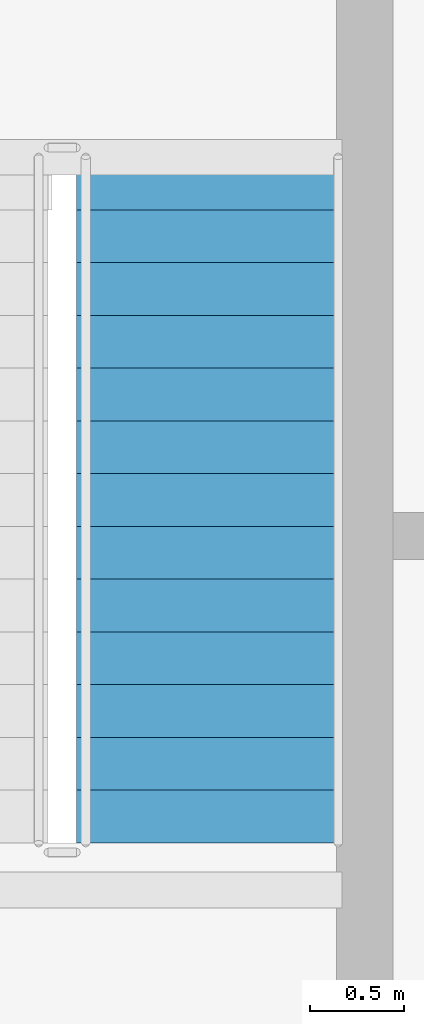
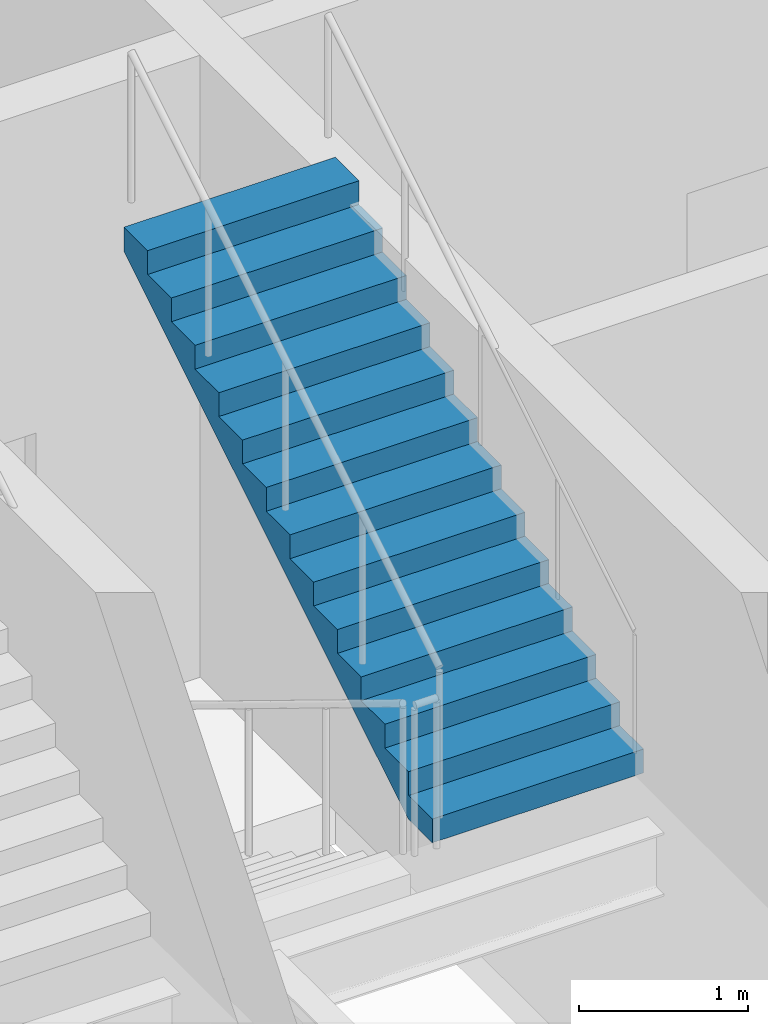
# One storey, part 22 of 29: 1 stair flight, 1 element without a shape of its own.
"""IFC4 building model written with IfcOpenShell, lengths in metres."""

from ifc_helpers import new_model, si_unit, direction, frame, origin, place, context, subcontext, project, spatial, polyline, outline, extrude, material, layer, layer_set, type_object, element, aggregate, save


model = new_model("IFC4")

# Units and contexts
model_context = context("Model", 3, precision=1e-05, world=origin(), true_north=direction((0.0, 1.0)))
body_context = subcontext(model_context, "Body", "Model", "MODEL_VIEW")
ifc_project = project(units=[si_unit("LENGTHUNIT", "METRE"), si_unit("AREAUNIT", "SQUARE_METRE"), si_unit("VOLUMEUNIT", "CUBIC_METRE"), si_unit("PLANEANGLEUNIT", "RADIAN"), si_unit("MASSUNIT", "GRAM", prefix="KILO")], contexts=[model_context])

# Site, building, storey
site_placement = place(None, origin())
site = spatial("IfcSite", under=ifc_project, at=site_placement, CompositionType="ELEMENT")
building_placement = place(site_placement, origin())
building = spatial("IfcBuilding", under=site, at=building_placement, Name="Solvaryn Broadcast Tower", CompositionType="ELEMENT")
storey_placement = place(building_placement, frame((0.0, 0.0, 21.199951171875)))
storey = spatial("IfcBuildingStorey", under=building, at=storey_placement, Name="L04", CompositionType="ELEMENT", Elevation=21.199951171875)

# Stair, stair flight
ifc_material_1 = material(Name="Concrete f'c 60 MPa", Category="concrete")
stair_type = type_object("IfcStairType", Name="ST-CORE", PredefinedType="HALF_TURN_STAIR", material=ifc_material_1)
stair_placement = place(storey_placement, origin())
stair = element("IfcStair", 1, at=stair_placement, inside=storey, type_object=stair_type, Name="L04 ST2", PredefinedType="HALF_TURN_STAIR")
ifc_material_2 = material(Name="Concrete f'c 60 MPa", Category="concrete")
ifc_layer = layer(ifc_material_2, 0.159912109375)
ifc_layer_set = layer_set([ifc_layer], Name="SF-CORE")
stair_flight_type = type_object("IfcStairFlightType", Name="SF-CORE", PredefinedType="STRAIGHT", material=ifc_layer_set)
stair_flight_placement = place(storey_placement, frame((17.110107421875, 32.320068359375, 2.400146484375), z_axis=(0.0, 0.0, 1.0), x_axis=(0.0, 1.0, 0.0)))
stair_flight = element("IfcStairFlight", 2, at=stair_flight_placement, type_object=stair_flight_type, Name="ST2 flight 2", NumberOfRisers=14, NumberOfTreads=13, PredefinedType="STRAIGHT", RiserHeight=0.171428571, TreadLength=0.28, context=body_context, shape_type="SweptSolid", body=[
    extrude(outline(polyline([(0.0, 0.0), (0.0, 0.17138671875), (0.280029296875, 0.17138671875), (0.280029296875, 0.3427734375), (0.56005859375, 0.3427734375), (0.56005859375, 0.514404296875), (0.840087890625, 0.514404296875), (0.840087890625, 0.685791015625), (1.1201171875, 0.685791015625), (1.1201171875, 0.857177734375), (1.39990234375, 0.857177734375), (1.39990234375, 1.028564453125), (1.679931640625, 1.028564453125), (1.679931640625, 1.199951171875), (1.9599609375, 1.199951171875), (1.9599609375, 1.371337890625), (2.239990234375, 1.371337890625), (2.239990234375, 1.54296875), (2.52001953125, 1.54296875), (2.52001953125, 1.71435546875), (2.800048828125, 1.71435546875), (2.800048828125, 1.8857421875), (3.080078125, 1.8857421875), (3.080078125, 2.05712890625), (3.360107421875, 2.05712890625), (3.360107421875, 2.228515625), (3.639892578125, 2.228515625), (3.639892578125, 2.39990234375), (3.639892578125, 2.052734375), (0.287109375, 0.0), (0.0, 0.0)])), frame((0.0, 0.719970703125, 0.0), z_axis=(0.0, -1.0, 0.0), x_axis=(1.0, 0.0, 0.0)), (0.0, 0.0, 1.0), 1.43994140625),
])
aggregate(stair, [stair_flight])

save(model, "model.ifc")
